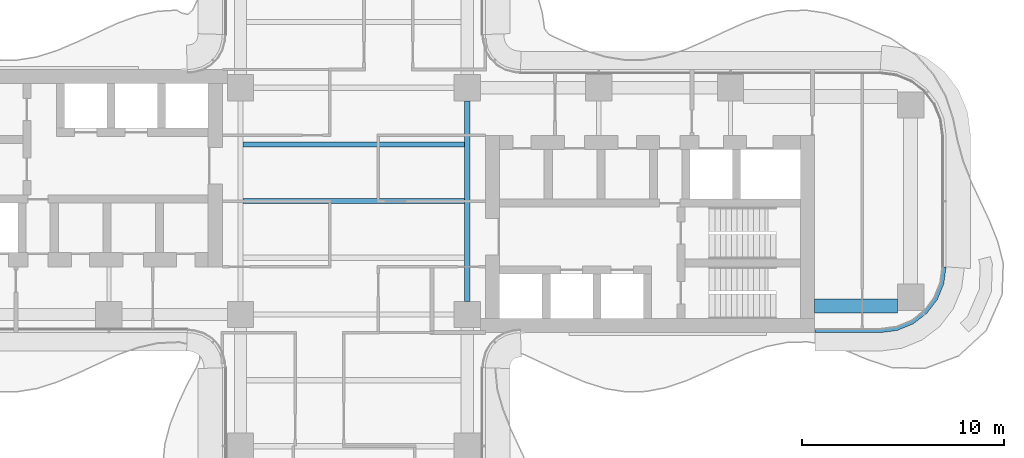
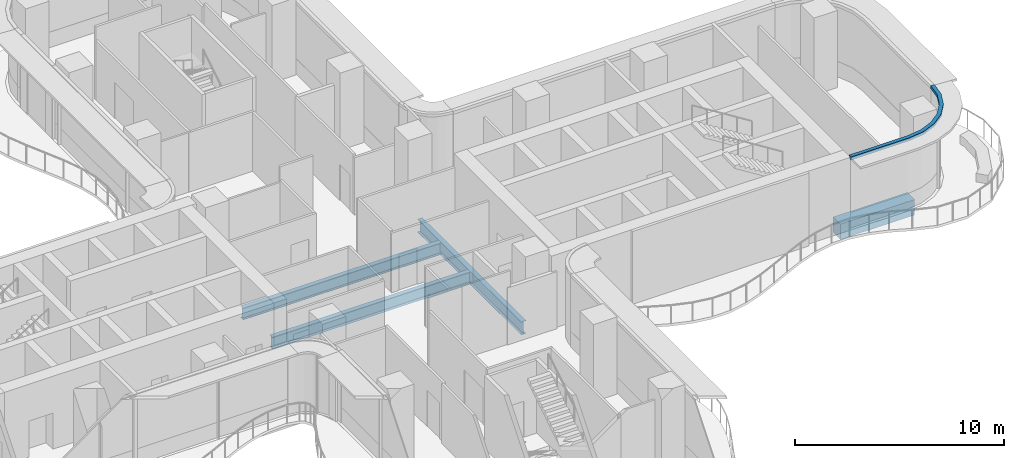
# One storey, part 6 of 22: 4 beams, 1 member, 1 element without a shape of its own.
"""IFC4 building model written with IfcOpenShell, lengths in metres."""

from ifc_helpers import new_model, si_unit, direction, frame, origin, origin_2d, place, context, subcontext, project, spatial, polyline, rectangle, i_section, outline, extrude, source, transform, mapped, material, layer, layer_set, material_profile, profile_set, type_object, element, aggregate, save


model = new_model("IFC4")

# Units and contexts
model_context = context("Model", 3, precision=1e-05, world=origin(), true_north=direction((0.0, 1.0)))
body_context = subcontext(model_context, "Body", "Model", "MODEL_VIEW")
ifc_project = project(units=[si_unit("LENGTHUNIT", "METRE"), si_unit("AREAUNIT", "SQUARE_METRE"), si_unit("VOLUMEUNIT", "CUBIC_METRE"), si_unit("PLANEANGLEUNIT", "RADIAN"), si_unit("MASSUNIT", "GRAM", prefix="KILO")], contexts=[model_context])

# Site, building, storey
site_placement = place(None, origin())
site = spatial("IfcSite", under=ifc_project, at=site_placement, CompositionType="ELEMENT")
building_placement = place(site_placement, origin())
building = spatial("IfcBuilding", under=site, at=building_placement, Name="Trellis Farm Tower", CompositionType="ELEMENT")
storey_placement = place(building_placement, frame((0.0, 0.0, 124.5)))
storey = spatial("IfcBuildingStorey", under=building, at=storey_placement, Name="L26", CompositionType="ELEMENT", Elevation=124.5)

# Beams
ifc_material_1 = material(Name="Steel S355", Category="steel")
ifc_material_profile_1 = material_profile(ifc_material_1, i_section(OverallWidth=0.253662109375, OverallDepth=0.68359375, WebThickness=0.012451171875, FlangeThickness=0.021728515625, FilletRadius=0.01513671875, at=origin_2d()), Name="UB 686x254x140")
ifc_profile_set_1 = profile_set([ifc_material_profile_1], Name="Steel S355")
beam_type_1 = type_object("IfcBeamType", Name="UB 686x254x140 joist", PredefinedType="JOIST", material=ifc_profile_set_1)
shared_shape_1 = source(origin(), body_context, "Body", "SweptSolid", [
    extrude(i_section(OverallWidth=0.253662109375, OverallDepth=0.68359375, WebThickness=0.012451171875, FlangeThickness=0.021728515625, FilletRadius=0.01513671875, at=origin_2d()), origin(), (0.0, 0.0, 1.0), 10.93310546875),
])
for number, where, z_axis, x_axis, name in (
    (1, (-5.466552734375, 0.0, -0.591796875), (1.0, 0.0, 0.0), (0.0, 1.0, 0.0), "Floor beam"),
    (2, (-5.466552734375, 2.800048828125, -0.591796875), (1.0, 0.0, 0.0), (0.0, 1.0, 0.0), "Floor beam"),
):
    element("IfcBeam", number, at=place(storey_placement, frame(where, z_axis=z_axis, x_axis=x_axis)), inside=storey, type_object=beam_type_1, Name=name, PredefinedType="JOIST", context=body_context, shape_type="MappedRepresentation", body=[
        mapped(shared_shape_1, transform((0.0, 0.0, 0.0))),
    ])
ifc_material_profile_2 = material_profile(ifc_material_1, i_section(OverallWidth=0.2666015625, OverallDepth=0.76220703125, WebThickness=0.014404296875, FlangeThickness=0.021484375, FilletRadius=0.0166015625, at=origin_2d()), Name="UB 762x267x173")
ifc_profile_set_2 = profile_set([ifc_material_profile_2], Name="Steel S355")
beam_type_2 = type_object("IfcBeamType", Name="UB 762x267x173", PredefinedType="BEAM", material=ifc_profile_set_2)
shared_shape_2 = source(origin(), body_context, "Body", "SweptSolid", [
    extrude(i_section(OverallWidth=0.2666015625, OverallDepth=0.76220703125, WebThickness=0.014404296875, FlangeThickness=0.021484375, FilletRadius=0.0166015625, at=origin_2d()), origin(), (0.0, 0.0, 1.0), 9.89990234375),
])
beam_1_placement = place(storey_placement, frame((5.60009765625, -4.949951171875, -0.631103515625), z_axis=(0.0, 1.0, 0.0), x_axis=(-1.0, 0.0, 0.0)))
element("IfcBeam", 3, at=beam_1_placement, inside=storey, type_object=beam_type_2, Name="Girder", PredefinedType="BEAM", context=body_context, shape_type="MappedRepresentation", body=[
    mapped(shared_shape_2, transform((0.0, 0.0, 0.0))),
])
ifc_material_2 = material(Name="Concrete C60/75", Category="concrete")
ifc_material_profile_3 = material_profile(ifc_material_2, rectangle(XDim=0.699951171875, YDim=0.89990234375, at=origin_2d()), Name="RC spandrel beam 700x900 C60/75")
ifc_profile_set_3 = profile_set([ifc_material_profile_3], Name="Concrete C60/75")
beam_type_3 = type_object("IfcBeamType", Name="RC spandrel beam 700x900 C60/75", PredefinedType="SPANDREL", material=ifc_profile_set_3)
shared_shape_3 = source(origin(), body_context, "Body", "SweptSolid", [
    extrude(rectangle(XDim=0.699951171875, YDim=0.89990234375, at=origin_2d()), origin(), (0.0, 0.0, 1.0), 4.10009765625),
])
beam_2_placement = place(storey_placement, frame((22.75, -5.175048828125, -0.699951171875), z_axis=(1.0, 0.0, 0.0), x_axis=(0.0, 1.0, 0.0)))
element("IfcBeam", 4, at=beam_2_placement, inside=storey, type_object=beam_type_3, Name="Girder", PredefinedType="SPANDREL", context=body_context, shape_type="MappedRepresentation", body=[
    mapped(shared_shape_3, transform((0.0, 0.0, 0.0))),
])

# Curtain wall, member
ifc_material_3 = material(Name="Aluminium and glass curtain wall", Category="aluminium")
ifc_layer_1 = layer(ifc_material_3, 0.18994140625)
ifc_layer_set_1 = layer_set([ifc_layer_1], Name="RIBBON CURTAIN WALL CW1")
curtain_wall_type = type_object("IfcCurtainWallType", Name="RIBBON CURTAIN WALL CW1", PredefinedType="NOTDEFINED", material=ifc_layer_set_1)
curtain_wall_placement = place(storey_placement, origin())
curtain_wall = element("IfcCurtainWall", 5, at=curtain_wall_placement, inside=storey, type_object=curtain_wall_type, Name="CW1 006", PredefinedType="NOTDEFINED")
ifc_material_4 = material(Name="Aluminium extrusion 6063-T6", Category="aluminium")
ifc_layer_2 = layer(ifc_material_4, 0.199951171875)
ifc_layer_set_2 = layer_set([ifc_layer_2], Name="Aluminium extrusion 6063-T6")
member_type = type_object("IfcMemberType", Name="CW1 TRANSOM 200x180", PredefinedType="USERDEFINED", material=ifc_layer_set_2)
shared_shape_4 = source(origin(), body_context, "Body", "SweptSolid", [
    extrude(outline(polyline([(22.780029296875, -6.5), (26.0, -6.5), (26.841064453125, -6.38916015625), (27.625, -6.064697265625), (28.298095703125, -5.548095703125), (28.814697265625, -4.875), (29.13916015625, -4.091064453125), (29.25, -3.25), (29.050048828125, -3.23681640625), (28.9443359375, -4.0390625), (28.639892578125, -4.774169921875), (28.155517578125, -5.405517578125), (27.524169921875, -5.889892578125), (26.7890625, -6.1943359375), (25.98681640625, -6.300048828125), (22.780029296875, -6.300048828125), (22.780029296875, -6.5)])), origin(), (0.0, 0.0, 1.0), 0.179931640625),
])
member_placement = place(storey_placement, frame((0.0, 0.0, 4.070068359375)))
member = element("IfcMember", 6, at=member_placement, type_object=member_type, Name="TR1 006", ObjectType="TRANSOM", PredefinedType="USERDEFINED", context=body_context, shape_type="MappedRepresentation", body=[
    mapped(shared_shape_4, transform((0.0, 0.0, 0.0))),
])
aggregate(curtain_wall, [member])

save(model, "model.ifc")
